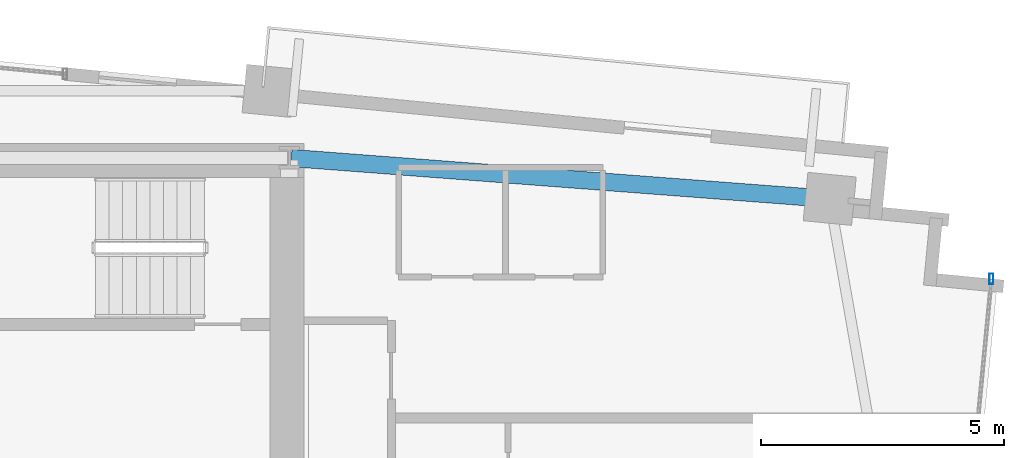
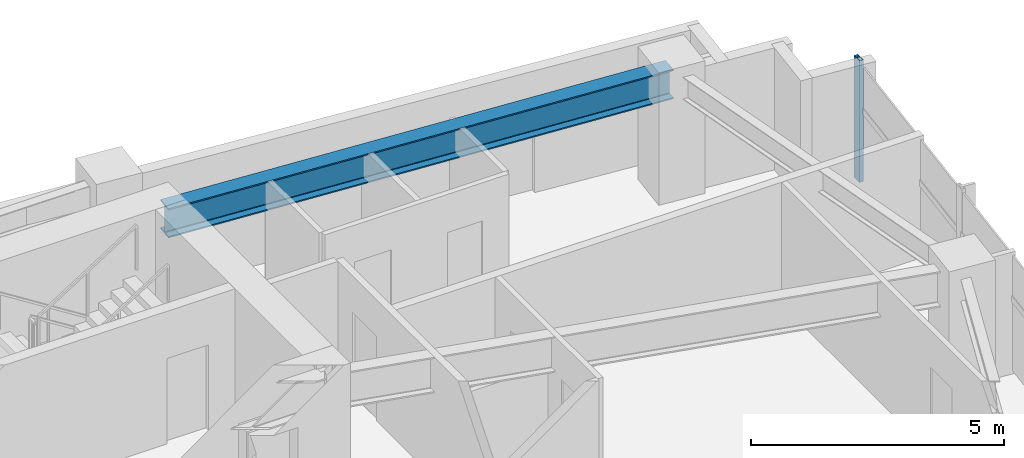
# One storey, part 13 of 20: 1 beam, 1 member, 1 element without a shape of its own.
"""IFC4 building model written with IfcOpenShell, lengths in metres."""

import ifcopenshell
import ifcopenshell.guid

model = None  # the IFC model being written
_history = None  # IfcOwnerHistory: only IFC2X3 demands one
_inside = {}  # id of a spatial element -> (the spatial element, [elements in it])
_under = {}  # id of a project, library or spatial element -> (it, [spatial elements below it])
_declared = {}  # id of a project -> (the project, [libraries it declares])
_typed = {}  # id of a type object -> (the type object, [elements of that type])
_made_of = {}  # id of a material, layer set ... -> (it, [elements and type objects made of it])


def new_model(schema):
    """Start an empty IFC model of exactly this schema.

    Asked for "IFC4X3", IfcOpenShell would pick the latest addendum, in which some entities
    have other attributes; the version numbers below select the first issue.
    IFC2X3 requires an IfcOwnerHistory on every rooted entity: one is made here for all.
    """
    global model, _history
    if schema == "IFC4X3":
        model = ifcopenshell.file(schema_version=(4, 3, 0, 0))
    else:
        model = ifcopenshell.file(schema=schema)
    _inside.clear()
    _under.clear()
    _declared.clear()
    _typed.clear()
    _made_of.clear()
    _history = None
    if model.schema == "IFC2X3":
        org = make("IfcOrganization", Name="unknown")
        user = make(
            "IfcPersonAndOrganization",
            ThePerson=make("IfcPerson", FamilyName="unknown"),
            TheOrganization=org,
        )
        app = make(
            "IfcApplication",
            ApplicationDeveloper=org,
            Version="unknown",
            ApplicationFullName="unknown",
            ApplicationIdentifier="unknown",
        )
        _history = make(
            "IfcOwnerHistory",
            OwningUser=user,
            OwningApplication=app,
            ChangeAction="ADDED",
            CreationDate=0,
        )
    return model


def make(cls, **values):
    """One entity of the class cls with the attributes given. An attribute that is None is left unset."""
    return model.create_entity(
        cls, **{name: value for name, value in values.items() if value is not None}
    )


def rooted(cls, **values):
    """An entity with a GlobalId (a new one), such as an element, a storey or a relation."""
    return make(cls, GlobalId=ifcopenshell.guid.new(), OwnerHistory=_history, **values)


def si_unit(unit_type, name, prefix=None):
    """IfcSIUnit, for example si_unit("LENGTHUNIT", "METRE", prefix="MILLI")."""
    return make("IfcSIUnit", UnitType=unit_type, Prefix=prefix, Name=name)


def assignment(units):
    """IfcUnitAssignment: the units of a project."""
    return None if units is None else make("IfcUnitAssignment", Units=units)


def point(xyz):
    """IfcCartesianPoint."""
    return None if xyz is None else make("IfcCartesianPoint", Coordinates=xyz)


def direction(xyz):
    """IfcDirection."""
    return None if xyz is None else make("IfcDirection", DirectionRatios=xyz)


def frame(location, z_axis=None, x_axis=None):
    """IfcAxis2Placement3D, a coordinate frame: its origin and axes. An axis left out is left unset."""
    return make(
        "IfcAxis2Placement3D",
        Location=point(location),
        Axis=direction(z_axis),
        RefDirection=direction(x_axis),
    )


def frame_2d(location, x_axis=None):
    """IfcAxis2Placement2D, a coordinate frame in the plane: its origin and x axis."""
    return make(
        "IfcAxis2Placement2D", Location=point(location), RefDirection=direction(x_axis)
    )


def origin():
    """The frame at (0, 0, 0) with its axes left unset."""
    return frame((0.0, 0.0, 0.0))


def origin_2d():
    """The frame at (0, 0) in the plane with its x axis left unset."""
    return frame_2d((0.0, 0.0))


def place(relative_to, where):
    """IfcLocalPlacement: puts the frame where relative to a parent placement (None: the world)."""
    return make(
        "IfcLocalPlacement", PlacementRelTo=relative_to, RelativePlacement=where
    )


def context(
    kind, dimensions, precision=None, world=None, true_north=None, identifier=None
):
    """IfcGeometricRepresentationContext, for example the 3D "Model" context."""
    return make(
        "IfcGeometricRepresentationContext",
        ContextIdentifier=identifier,
        ContextType=kind,
        CoordinateSpaceDimension=dimensions,
        Precision=precision,
        WorldCoordinateSystem=world,
        TrueNorth=true_north,
    )


def subcontext(parent, identifier, kind, view, scale=None):
    """IfcGeometricRepresentationSubContext, for example "Body" below "Model"."""
    return make(
        "IfcGeometricRepresentationSubContext",
        ContextIdentifier=identifier,
        ContextType=kind,
        ParentContext=parent,
        TargetScale=scale,
        TargetView=view,
    )


def project(units=None, contexts=None):
    """IfcProject with its units and contexts."""
    return rooted(
        "IfcProject",
        Name="project",
        RepresentationContexts=contexts,
        UnitsInContext=assignment(units),
    )


def spatial(cls, under=None, at=None, **own):
    """A site, building, storey or space (cls), placed at a placement, below another one or the project."""
    s = rooted(cls, ObjectPlacement=at, **own)
    if under is not None:
        _under.setdefault(under.id(), (under, []))[1].append(s)
    return s


def profile(cls, at=None, kind="AREA", **sizes):
    """A parametric profile (cls). Its sizes go by their IFC names, for example OverallWidth=200.0."""
    return make(cls, ProfileType=kind, Position=at, **sizes)


def hollow_rectangle(**sizes):
    """IfcRectangleHollowProfileDef."""
    return profile("IfcRectangleHollowProfileDef", **sizes)


def i_section(**sizes):
    """IfcIShapeProfileDef."""
    return profile("IfcIShapeProfileDef", **sizes)


def extrude(swept, where, along, depth):
    """IfcExtrudedAreaSolid: the profile swept, set in the frame where, extruded along a direction by depth."""
    return make(
        "IfcExtrudedAreaSolid",
        SweptArea=swept,
        Position=where,
        ExtrudedDirection=direction(along),
        Depth=depth,
    )


def shape(context_of_items, identifier, shape_type, items):
    """IfcShapeRepresentation: the items that make up one representation, for example the "Body"."""
    return make(
        "IfcShapeRepresentation",
        ContextOfItems=context_of_items,
        RepresentationIdentifier=identifier,
        RepresentationType=shape_type,
        Items=items,
    )


def source(mapping_origin, context_of_items, identifier, shape_type, items):
    """IfcRepresentationMap: a shape defined once, which mapped items show again and again."""
    return make(
        "IfcRepresentationMap",
        MappingOrigin=mapping_origin,
        MappedRepresentation=shape(context_of_items, identifier, shape_type, items),
    )


def transform(
    local_origin,
    x_axis=None,
    y_axis=None,
    z_axis=None,
    scale=None,
    scale2=None,
    scale3=None,
    uniform=True,
):
    """IfcCartesianTransformationOperator3D, or its non-uniform kind. x_axis, y_axis, z_axis: its Axis1, 2, 3."""
    if uniform:
        return make(
            "IfcCartesianTransformationOperator3D",
            Axis1=direction(x_axis),
            Axis2=direction(y_axis),
            LocalOrigin=point(local_origin),
            Scale=scale,
            Axis3=direction(z_axis),
        )
    return make(
        "IfcCartesianTransformationOperator3DnonUniform",
        Axis1=direction(x_axis),
        Axis2=direction(y_axis),
        LocalOrigin=point(local_origin),
        Scale=scale,
        Axis3=direction(z_axis),
        Scale2=scale2,
        Scale3=scale3,
    )


def mapped(mapping_source, mapping_target):
    """IfcMappedItem: shows the shape of a source again, moved by a transform."""
    return make(
        "IfcMappedItem", MappingSource=mapping_source, MappingTarget=mapping_target
    )


def material(Name=None, Category=None):
    """IfcMaterial."""
    return make("IfcMaterial", Name=Name, Category=Category)


def material_profile(
    of_material, cross_section, Name=None, Category=None, Priority=None
):
    """IfcMaterialProfile: a cross section and its material."""
    return make(
        "IfcMaterialProfile",
        Name=Name,
        Material=of_material,
        Profile=cross_section,
        Priority=Priority,
        Category=Category,
    )


def profile_set(profiles, Name=None, composite=None):
    """IfcMaterialProfileSet."""
    return make(
        "IfcMaterialProfileSet",
        Name=Name,
        MaterialProfiles=profiles,
        CompositeProfile=composite,
    )


def made_of(thing, what):
    """Note that an element or type object is made of a material, layer set ...; save() writes the relation."""
    if what is not None:
        _made_of.setdefault(what.id(), (what, []))[1].append(thing)
    return thing


def type_object(cls, material=None, **own):
    """A type object (cls), such as IfcWallType, which elements share."""
    return made_of(rooted(cls, **own), material)


def type_shapes(of_type, sources):
    """Give a type object the sources (RepresentationMaps) that its elements show as mapped items."""
    of_type.RepresentationMaps = sources


def element(
    cls,
    number,
    at=None,
    inside=None,
    cuts=None,
    type_object=None,
    material=None,
    context=None,
    identifier="Body",
    shape_type=None,
    held_by="IfcProductDefinitionShape",
    body=None,
    shapes=None,
    **own,
):
    """One element of the class cls, such as IfcWall. Its Tag is "e" and its number.

    at: its placement. inside: the storey or other place that contains it. cuts: it is an
    opening in that element (IfcRelVoidsElement). A single representation is given by context,
    identifier, shape_type and body (its items); several are given by shapes. held_by: the class
    of the entity that holds the representations. save() writes the other relations.
    """
    e = rooted(cls, Tag="e%d" % number, ObjectPlacement=at, **own)
    if body is not None:
        shapes = [shape(context, identifier, shape_type, body)]
    if shapes is not None:
        e.Representation = make(held_by, Representations=shapes)
    if inside is not None:
        _inside.setdefault(inside.id(), (inside, []))[1].append(e)
    if cuts is not None:
        rooted(
            "IfcRelVoidsElement", RelatingBuildingElement=cuts, RelatedOpeningElement=e
        )
    if type_object is not None:
        _typed.setdefault(type_object.id(), (type_object, []))[1].append(e)
    return made_of(e, material)


def aggregate(whole, parts):
    """IfcRelAggregates: a whole, such as a stair, and the parts it consists of."""
    return rooted("IfcRelAggregates", RelatingObject=whole, RelatedObjects=parts)


def save(model, path):
    """Write the relations noted so far, then the file.

    IfcRelAggregates (storeys below a building ...), IfcRelContainedInSpatialStructure (elements
    in a storey), IfcRelDefinesByType, IfcRelAssociatesMaterial and IfcRelDeclares: one each for
    every whole, place, type object, material and project.
    """
    for whole, parts in _under.values():
        aggregate(whole, parts)
    for where, things in _inside.values():
        rooted(
            "IfcRelContainedInSpatialStructure",
            RelatedElements=things,
            RelatingStructure=where,
        )
    for kind, things in _typed.values():
        rooted("IfcRelDefinesByType", RelatedObjects=things, RelatingType=kind)
    for what, things in _made_of.values():
        rooted("IfcRelAssociatesMaterial", RelatedObjects=things, RelatingMaterial=what)
    for by, libraries in _declared.values():
        rooted("IfcRelDeclares", RelatingContext=by, RelatedDefinitions=libraries)
    model.write(path)


model = new_model("IFC4")

# Units and contexts
model_context = context("Model", 3, precision=1e-05, world=origin(), true_north=direction((0.0, 1.0)))
body_context = subcontext(model_context, "Body", "Model", "MODEL_VIEW")
ifc_project = project(units=[si_unit("LENGTHUNIT", "METRE"), si_unit("AREAUNIT", "SQUARE_METRE"), si_unit("VOLUMEUNIT", "CUBIC_METRE"), si_unit("PLANEANGLEUNIT", "RADIAN"), si_unit("MASSUNIT", "GRAM", prefix="KILO")], contexts=[model_context])

# Site, building, storey
site_placement = place(None, origin())
site = spatial("IfcSite", under=ifc_project, at=site_placement, CompositionType="ELEMENT")
building_placement = place(site_placement, origin())
building = spatial("IfcBuilding", under=site, at=building_placement, Name="Astriad Promenade Condominiums", CompositionType="ELEMENT")
storey_placement = place(building_placement, frame((0.0, 0.0, 156.60009765625)))
storey = spatial("IfcBuildingStorey", under=building, at=storey_placement, Name="L45", CompositionType="ELEMENT", Elevation=156.60009765625)

# Beam
ifc_material_1 = material(Name="Steel ASTM A992 Grade 50", Category="steel")
ifc_material_profile_1 = material_profile(ifc_material_1, i_section(OverallWidth=0.35791015625, OverallDepth=0.706298828125, WebThickness=0.018310546875, FlangeThickness=0.0302734375, FilletRadius=0.020263671875, at=origin_2d()), Name="W27X178")
ifc_profile_set_1 = profile_set([ifc_material_profile_1], Name="Steel ASTM A992 Grade 50")
beam_type = type_object("IfcBeamType", Name="STEEL FLOOR GIRDER W27X178", PredefinedType="BEAM", material=ifc_profile_set_1)
shared_shape_1 = source(origin(), body_context, "Body", "SweptSolid", [
    extrude(i_section(OverallWidth=0.35791015625, OverallDepth=0.706298828125, WebThickness=0.018310546875, FlangeThickness=0.0302734375, FilletRadius=0.020263671875, at=origin_2d()), origin(), (0.0, 0.0, 1.0), 11.0712890625),
])
type_shapes(beam_type, [shared_shape_1])
beam_placement = place(storey_placement, frame((56.679443359375, 23.15966796875, 2.586669921875), z_axis=(-0.997135384808, 0.075637453445, 0.0), x_axis=(-0.075637453445, -0.997135384808, 0.0)))
element("IfcBeam", 1, at=beam_placement, inside=storey, type_object=beam_type, Name="Primary Floor Girder PG-NE-L45", PredefinedType="BEAM", context=body_context, shape_type="MappedRepresentation", body=[
    mapped(shared_shape_1, transform((0.0, 0.0, 0.0), scale=1.0)),
])

# Curtain wall, member
ifc_material_2 = material(Name="Anodised aluminium Black Dark Glass Unitised", Category="aluminium")
curtain_wall_type = type_object("IfcCurtainWallType", Name="CW-B34-DARK", PredefinedType="USERDEFINED", material=ifc_material_2)
curtain_wall_placement = place(storey_placement, origin())
curtain_wall = element("IfcCurtainWall", 2, at=curtain_wall_placement, inside=storey, type_object=curtain_wall_type, Name="CW-L45-E", ObjectType="UNITISED_CURTAIN_WALL", PredefinedType="USERDEFINED")
ifc_material_3 = material(Name="Anodised aluminium 6063-T6 Black", Category="aluminium")
ifc_material_profile_2 = material_profile(ifc_material_3, hollow_rectangle(XDim=0.0849609375, YDim=0.219970703125, WallThickness=0.0048828125, at=origin_2d()), Name="ALU-MUL-85X220")
ifc_profile_set_2 = profile_set([ifc_material_profile_2], Name="Anodised aluminium 6063-T6 Black")
member_type = type_object("IfcMemberType", Name="MUL-ALU-MUL-85X220", PredefinedType="MULLION", material=ifc_profile_set_2)
shared_shape_2 = source(origin(), body_context, "Body", "SweptSolid", [
    extrude(hollow_rectangle(XDim=0.0849609375, YDim=0.219970703125, WallThickness=0.0048828125, at=origin_2d()), origin(), (0.0, 0.0, 1.0), 2.93994140625),
])
type_shapes(member_type, [shared_shape_2])
member_placement = place(storey_placement, frame((60.046875, 21.51025390625, 0.0), z_axis=(0.0, 0.0, 1.0), x_axis=(1.0, 0.0, 0.0)))
member = element("IfcMember", 3, at=member_placement, type_object=member_type, Name="CW-L45-E-MUL-00", PredefinedType="MULLION", context=body_context, shape_type="MappedRepresentation", body=[
    mapped(shared_shape_2, transform((0.0, 0.0, 0.0), scale=1.0)),
])
aggregate(curtain_wall, [member])

save(model, "model.ifc")
